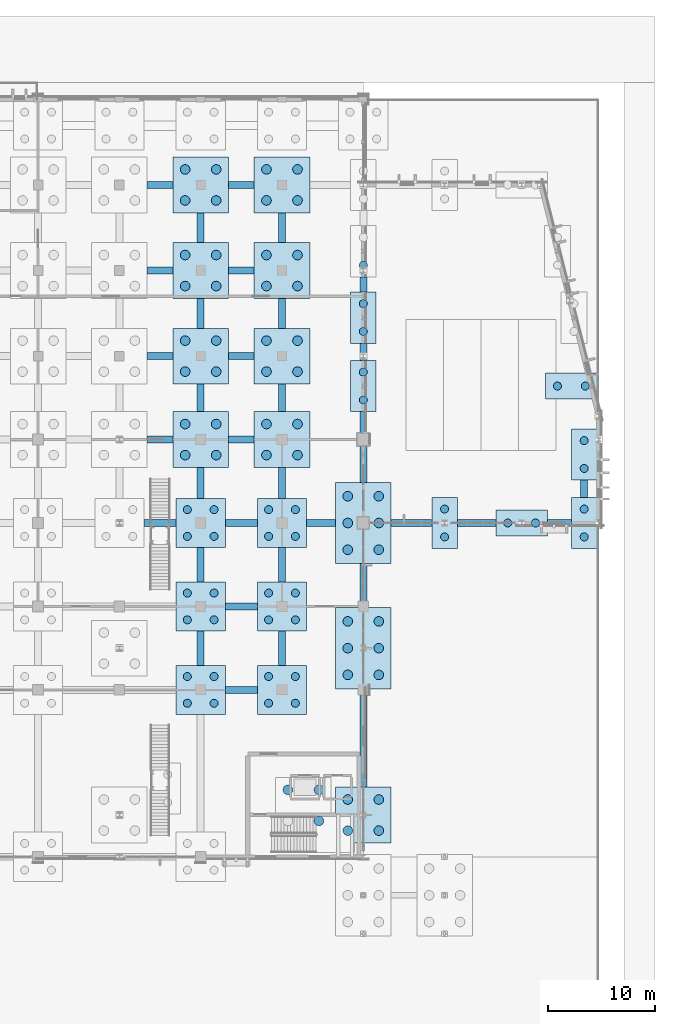
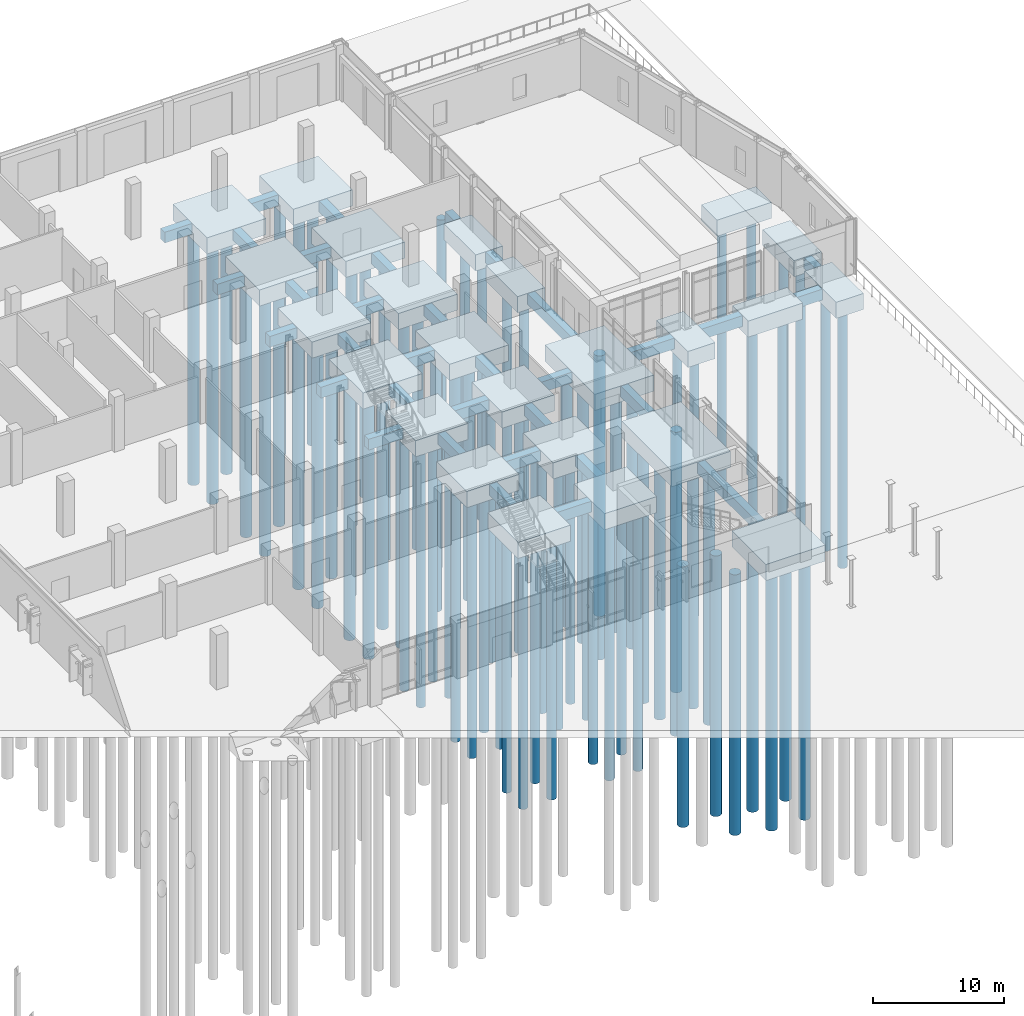
# One storey, part 13 of 94: 90 piles, 58 footings.
"""IFC4 building model written with IfcOpenShell, lengths in metres."""

from ifc_helpers import new_model, si_unit, direction, frame, origin, origin_2d, place, context, subcontext, project, spatial, rectangle, circle, extrude, material, material_profile, profile_set, type_object, element, save


model = new_model("IFC4")

# Units and contexts
model_context = context("Model", 3, precision=1e-05, world=origin(), true_north=direction((0.0, 1.0)))
body_context = subcontext(model_context, "Body", "Model", "MODEL_VIEW")
ifc_project = project(units=[si_unit("LENGTHUNIT", "METRE"), si_unit("AREAUNIT", "SQUARE_METRE"), si_unit("VOLUMEUNIT", "CUBIC_METRE"), si_unit("PLANEANGLEUNIT", "RADIAN"), si_unit("MASSUNIT", "GRAM", prefix="KILO")], contexts=[model_context])

# Site, building, storey
site_placement = place(None, origin())
site = spatial("IfcSite", under=ifc_project, at=site_placement, CompositionType="ELEMENT")
building_placement = place(site_placement, origin())
building = spatial("IfcBuilding", under=site, at=building_placement, Name="Vervanel Yard Central Library", CompositionType="ELEMENT")
storey_placement = place(building_placement, origin())
storey = spatial("IfcBuildingStorey", under=building, at=storey_placement, Name="L00", CompositionType="ELEMENT", Elevation=0.0)

# Piles
ifc_material = material(Name="Concrete C40/50", Category="concrete")
ifc_material_profile_1 = material_profile(ifc_material, circle(Radius=0.375, at=origin_2d()), Name="BP D750", Category="concrete")
ifc_profile_set_1 = profile_set([ifc_material_profile_1], Name="Concrete C40/50")
pile_type_1 = type_object("IfcPileType", Name="Bored Concrete Pile D750", PredefinedType="BORED", material=ifc_profile_set_1)
for number, where, z_axis, x_axis, name in (
    (1, (129.550048828125, 57.550048828125, -1.75), (0.0, 0.0, -1.0), (1.0, 0.0, 0.0), "Bored Concrete Pile 369 under PCAP-091"),
    (2, (132.050048828125, 57.550048828125, -1.75), (0.0, 0.0, -1.0), (1.0, 0.0, 0.0), "Bored Concrete Pile 370 under PCAP-091"),
    (3, (129.550048828125, 60.050048828125, -1.75), (0.0, 0.0, -1.0), (1.0, 0.0, 0.0), "Bored Concrete Pile 371 under PCAP-091"),
    (4, (132.050048828125, 60.050048828125, -1.75), (0.0, 0.0, -1.0), (1.0, 0.0, 0.0), "Bored Concrete Pile 372 under PCAP-091"),
    (5, (129.550048828125, 65.35009765625, -1.75), (0.0, 0.0, -1.0), (1.0, 0.0, 0.0), "Bored Concrete Pile 373 under PCAP-092"),
    (6, (132.050048828125, 65.35009765625, -1.75), (0.0, 0.0, -1.0), (1.0, 0.0, 0.0), "Bored Concrete Pile 374 under PCAP-092"),
    (7, (129.550048828125, 67.85009765625, -1.75), (0.0, 0.0, -1.0), (1.0, 0.0, 0.0), "Bored Concrete Pile 375 under PCAP-092"),
    (8, (132.050048828125, 67.85009765625, -1.75), (0.0, 0.0, -1.0), (1.0, 0.0, 0.0), "Bored Concrete Pile 376 under PCAP-092"),
    (9, (129.550048828125, 73.14990234375, -1.75), (0.0, 0.0, -1.0), (1.0, 0.0, 0.0), "Bored Concrete Pile 377 under PCAP-093"),
    (10, (132.050048828125, 73.14990234375, -1.75), (0.0, 0.0, -1.0), (1.0, 0.0, 0.0), "Bored Concrete Pile 378 under PCAP-093"),
    (11, (129.550048828125, 75.64990234375, -1.75), (0.0, 0.0, -1.0), (1.0, 0.0, 0.0), "Bored Concrete Pile 379 under PCAP-093"),
    (12, (132.050048828125, 75.64990234375, -1.75), (0.0, 0.0, -1.0), (1.0, 0.0, 0.0), "Bored Concrete Pile 380 under PCAP-093"),
    (13, (137.14990234375, 57.550048828125, -1.75), (0.0, 0.0, -1.0), (1.0, 0.0, 0.0), "Bored Concrete Pile 385 under PCAP-095"),
    (14, (139.64990234375, 57.550048828125, -1.75), (0.0, 0.0, -1.0), (1.0, 0.0, 0.0), "Bored Concrete Pile 386 under PCAP-095"),
    (15, (137.14990234375, 60.050048828125, -1.75), (0.0, 0.0, -1.0), (1.0, 0.0, 0.0), "Bored Concrete Pile 387 under PCAP-095"),
    (16, (139.64990234375, 60.050048828125, -1.75), (0.0, 0.0, -1.0), (1.0, 0.0, 0.0), "Bored Concrete Pile 388 under PCAP-095"),
    (17, (137.14990234375, 65.35009765625, -1.75), (0.0, 0.0, -1.0), (1.0, 0.0, 0.0), "Bored Concrete Pile 389 under PCAP-096"),
    (18, (139.64990234375, 65.35009765625, -1.75), (0.0, 0.0, -1.0), (1.0, 0.0, 0.0), "Bored Concrete Pile 390 under PCAP-096"),
    (19, (137.14990234375, 67.85009765625, -1.75), (0.0, 0.0, -1.0), (1.0, 0.0, 0.0), "Bored Concrete Pile 391 under PCAP-096"),
    (20, (139.64990234375, 67.85009765625, -1.75), (0.0, 0.0, -1.0), (1.0, 0.0, 0.0), "Bored Concrete Pile 392 under PCAP-096"),
    (21, (137.14990234375, 73.14990234375, -1.75), (0.0, 0.0, -1.0), (1.0, 0.0, 0.0), "Bored Concrete Pile 393 under PCAP-097"),
    (22, (139.64990234375, 73.14990234375, -1.75), (0.0, 0.0, -1.0), (1.0, 0.0, 0.0), "Bored Concrete Pile 394 under PCAP-097"),
    (23, (137.14990234375, 75.64990234375, -1.75), (0.0, 0.0, -1.0), (1.0, 0.0, 0.0), "Bored Concrete Pile 395 under PCAP-097"),
    (24, (139.64990234375, 75.64990234375, -1.75), (0.0, 0.0, -1.0), (1.0, 0.0, 0.0), "Bored Concrete Pile 396 under PCAP-097"),
    (25, (146.0, 85.89990234375, -1.75), (0.0, 0.0, -1.0), (1.0, 0.0, 0.0), "Bored Concrete Pile 513 under PCAP-154"),
    (26, (146.0, 88.5, -1.75), (0.0, 0.0, -1.0), (1.0, 0.0, 0.0), "Bored Concrete Pile 514 under PCAP-154"),
    (27, (146.0, 92.300048828125, -1.75), (0.0, 0.0, -1.0), (1.0, 0.0, 0.0), "Bored Concrete Pile 515 under PCAP-155"),
    (28, (146.0, 94.89990234375, -1.75), (0.0, 0.0, -1.0), (1.0, 0.0, 0.0), "Bored Concrete Pile 516 under PCAP-155"),
    (29, (146.0, 98.5, -1.75), (0.0, 0.0, -1.0), (1.0, 0.0, 0.0), "Bored Concrete Pile 517 under PCAP-156"),
    (30, (153.60009765625, 73.10009765625, -1.75), (0.0, 0.0, -1.0), (1.0, 0.0, 0.0), "Bored Concrete Pile 521 under PCAP-158"),
    (31, (153.60009765625, 75.699951171875, -1.75), (0.0, 0.0, -1.0), (1.0, 0.0, 0.0), "Bored Concrete Pile 522 under PCAP-158"),
    (32, (166.64990234375, 73.10009765625, -1.75), (0.0, 0.0, -1.0), (1.0, 0.0, 0.0), "Bored Concrete Pile 529 under PCAP-162"),
    (33, (166.64990234375, 75.699951171875, -1.75), (0.0, 0.0, -1.0), (1.0, 0.0, 0.0), "Bored Concrete Pile 530 under PCAP-162"),
    (34, (166.64990234375, 79.5, -1.75), (0.0, 0.0, -1.0), (1.0, 0.0, 0.0), "Bored Concrete Pile 531 under PCAP-163"),
    (35, (166.64990234375, 82.10009765625, -1.75), (0.0, 0.0, -1.0), (1.0, 0.0, 0.0), "Bored Concrete Pile 532 under PCAP-163"),
    (36, (159.5, 74.39990234375, -1.75), (0.0, 0.0, -1.0), (1.0, 0.0, 0.0), "Bored Concrete Pile 601 under PCAP-198"),
    (37, (162.10009765625, 74.39990234375, -1.75), (0.0, 0.0, -1.0), (1.0, 0.0, 0.0), "Bored Concrete Pile 602 under PCAP-198"),
    (38, (164.14990234375, 87.199951171875, -1.75), (0.0, 0.0, -1.0), (1.0, 0.0, 0.0), "Bored Concrete Pile 605 under PCAP-200"),
    (39, (166.75, 87.199951171875, -1.75), (0.0, 0.0, -1.0), (1.0, 0.0, 0.0), "Bored Concrete Pile 606 under PCAP-200"),
):
    element("IfcPile", number, at=place(storey_placement, frame(where, z_axis=z_axis, x_axis=x_axis)), inside=storey, type_object=pile_type_1, Name=name, PredefinedType="BORED", context=body_context, shape_type="SweptSolid", body=[
        extrude(circle(Radius=0.375, at=origin_2d()), origin(), (0.0, 0.0, 1.0), 24.25),
    ])
ifc_material_profile_2 = material_profile(ifc_material, circle(Radius=0.449951171875, at=origin_2d()), Name="BP D900", Category="concrete")
ifc_profile_set_2 = profile_set([ifc_material_profile_2], Name="Concrete C40/50")
pile_type_2 = type_object("IfcPileType", Name="Bored Concrete Pile D900", PredefinedType="BORED", material=ifc_profile_set_2)
for number, where, z_axis, x_axis, name in (
    (40, (144.550048828125, 60.199951171875, -1.75), (0.0, 0.0, -1.0), (1.0, 0.0, 0.0), "Bored Concrete Pile 7 under PCAP-002"),
    (41, (147.449951171875, 60.199951171875, -1.75), (0.0, 0.0, -1.0), (1.0, 0.0, 0.0), "Bored Concrete Pile 8 under PCAP-002"),
    (42, (144.550048828125, 62.699951171875, -1.75), (0.0, 0.0, -1.0), (1.0, 0.0, 0.0), "Bored Concrete Pile 9 under PCAP-002"),
    (43, (147.449951171875, 62.699951171875, -1.75), (0.0, 0.0, -1.0), (1.0, 0.0, 0.0), "Bored Concrete Pile 10 under PCAP-002"),
    (44, (144.550048828125, 65.199951171875, -1.75), (0.0, 0.0, -1.0), (1.0, 0.0, 0.0), "Bored Concrete Pile 11 under PCAP-002"),
    (45, (147.449951171875, 65.199951171875, -1.75), (0.0, 0.0, -1.0), (1.0, 0.0, 0.0), "Bored Concrete Pile 12 under PCAP-002"),
    (46, (144.550048828125, 71.89990234375, -1.75), (0.0, 0.0, -1.0), (1.0, 0.0, 0.0), "Bored Concrete Pile 13 under PCAP-003"),
    (47, (147.449951171875, 71.89990234375, -1.75), (0.0, 0.0, -1.0), (1.0, 0.0, 0.0), "Bored Concrete Pile 14 under PCAP-003"),
    (48, (144.550048828125, 74.39990234375, -1.75), (0.0, 0.0, -1.0), (1.0, 0.0, 0.0), "Bored Concrete Pile 15 under PCAP-003"),
    (49, (147.449951171875, 74.39990234375, -1.75), (0.0, 0.0, -1.0), (1.0, 0.0, 0.0), "Bored Concrete Pile 16 under PCAP-003"),
    (50, (144.550048828125, 76.89990234375, -1.75), (0.0, 0.0, -1.0), (1.0, 0.0, 0.0), "Bored Concrete Pile 17 under PCAP-003"),
    (51, (147.449951171875, 76.89990234375, -1.75), (0.0, 0.0, -1.0), (1.0, 0.0, 0.0), "Bored Concrete Pile 18 under PCAP-003"),
    (52, (129.35009765625, 80.75, -1.75), (0.0, 0.0, -1.0), (1.0, 0.0, 0.0), "Bored Concrete Pile 221 under PCAP-054"),
    (53, (132.25, 80.75, -1.75), (0.0, 0.0, -1.0), (1.0, 0.0, 0.0), "Bored Concrete Pile 222 under PCAP-054"),
    (54, (129.35009765625, 83.64990234375, -1.75), (0.0, 0.0, -1.0), (1.0, 0.0, 0.0), "Bored Concrete Pile 223 under PCAP-054"),
    (55, (132.25, 83.64990234375, -1.75), (0.0, 0.0, -1.0), (1.0, 0.0, 0.0), "Bored Concrete Pile 224 under PCAP-054"),
    (56, (129.35009765625, 88.550048828125, -1.75), (0.0, 0.0, -1.0), (1.0, 0.0, 0.0), "Bored Concrete Pile 225 under PCAP-055"),
    (57, (132.25, 88.550048828125, -1.75), (0.0, 0.0, -1.0), (1.0, 0.0, 0.0), "Bored Concrete Pile 226 under PCAP-055"),
    (58, (129.35009765625, 91.449951171875, -1.75), (0.0, 0.0, -1.0), (1.0, 0.0, 0.0), "Bored Concrete Pile 227 under PCAP-055"),
    (59, (132.25, 91.449951171875, -1.75), (0.0, 0.0, -1.0), (1.0, 0.0, 0.0), "Bored Concrete Pile 228 under PCAP-055"),
    (60, (129.35009765625, 96.550048828125, -1.75), (0.0, 0.0, -1.0), (1.0, 0.0, 0.0), "Bored Concrete Pile 229 under PCAP-056"),
    (61, (132.25, 96.550048828125, -1.75), (0.0, 0.0, -1.0), (1.0, 0.0, 0.0), "Bored Concrete Pile 230 under PCAP-056"),
    (62, (129.35009765625, 99.449951171875, -1.75), (0.0, 0.0, -1.0), (1.0, 0.0, 0.0), "Bored Concrete Pile 231 under PCAP-056"),
    (63, (132.25, 99.449951171875, -1.75), (0.0, 0.0, -1.0), (1.0, 0.0, 0.0), "Bored Concrete Pile 232 under PCAP-056"),
    (64, (129.35009765625, 104.550048828125, -1.75), (0.0, 0.0, -1.0), (1.0, 0.0, 0.0), "Bored Concrete Pile 233 under PCAP-057"),
    (65, (132.25, 104.550048828125, -1.75), (0.0, 0.0, -1.0), (1.0, 0.0, 0.0), "Bored Concrete Pile 234 under PCAP-057"),
    (66, (129.35009765625, 107.449951171875, -1.75), (0.0, 0.0, -1.0), (1.0, 0.0, 0.0), "Bored Concrete Pile 235 under PCAP-057"),
    (67, (132.25, 107.449951171875, -1.75), (0.0, 0.0, -1.0), (1.0, 0.0, 0.0), "Bored Concrete Pile 236 under PCAP-057"),
    (68, (136.949951171875, 80.75, -1.75), (0.0, 0.0, -1.0), (1.0, 0.0, 0.0), "Bored Concrete Pile 237 under PCAP-058"),
    (69, (139.85009765625, 80.75, -1.75), (0.0, 0.0, -1.0), (1.0, 0.0, 0.0), "Bored Concrete Pile 238 under PCAP-058"),
    (70, (136.949951171875, 83.64990234375, -1.75), (0.0, 0.0, -1.0), (1.0, 0.0, 0.0), "Bored Concrete Pile 239 under PCAP-058"),
    (71, (139.85009765625, 83.64990234375, -1.75), (0.0, 0.0, -1.0), (1.0, 0.0, 0.0), "Bored Concrete Pile 240 under PCAP-058"),
    (72, (136.949951171875, 88.550048828125, -1.75), (0.0, 0.0, -1.0), (1.0, 0.0, 0.0), "Bored Concrete Pile 241 under PCAP-059"),
    (73, (139.85009765625, 88.550048828125, -1.75), (0.0, 0.0, -1.0), (1.0, 0.0, 0.0), "Bored Concrete Pile 242 under PCAP-059"),
    (74, (136.949951171875, 91.449951171875, -1.75), (0.0, 0.0, -1.0), (1.0, 0.0, 0.0), "Bored Concrete Pile 243 under PCAP-059"),
    (75, (139.85009765625, 91.449951171875, -1.75), (0.0, 0.0, -1.0), (1.0, 0.0, 0.0), "Bored Concrete Pile 244 under PCAP-059"),
    (76, (136.949951171875, 96.550048828125, -1.75), (0.0, 0.0, -1.0), (1.0, 0.0, 0.0), "Bored Concrete Pile 245 under PCAP-060"),
    (77, (139.85009765625, 96.550048828125, -1.75), (0.0, 0.0, -1.0), (1.0, 0.0, 0.0), "Bored Concrete Pile 246 under PCAP-060"),
    (78, (136.949951171875, 99.449951171875, -1.75), (0.0, 0.0, -1.0), (1.0, 0.0, 0.0), "Bored Concrete Pile 247 under PCAP-060"),
    (79, (139.85009765625, 99.449951171875, -1.75), (0.0, 0.0, -1.0), (1.0, 0.0, 0.0), "Bored Concrete Pile 248 under PCAP-060"),
    (80, (136.949951171875, 104.550048828125, -1.75), (0.0, 0.0, -1.0), (1.0, 0.0, 0.0), "Bored Concrete Pile 249 under PCAP-061"),
    (81, (139.85009765625, 104.550048828125, -1.75), (0.0, 0.0, -1.0), (1.0, 0.0, 0.0), "Bored Concrete Pile 250 under PCAP-061"),
    (82, (136.949951171875, 107.449951171875, -1.75), (0.0, 0.0, -1.0), (1.0, 0.0, 0.0), "Bored Concrete Pile 251 under PCAP-061"),
    (83, (139.85009765625, 107.449951171875, -1.75), (0.0, 0.0, -1.0), (1.0, 0.0, 0.0), "Bored Concrete Pile 252 under PCAP-061"),
    (84, (141.85009765625, 46.550048828125, -1.75), (0.0, 0.0, -1.0), (1.0, 0.0, 0.0), "Bored Concrete Pile 254 under PCAP-062"),
    (85, (138.949951171875, 49.449951171875, -1.75), (0.0, 0.0, -1.0), (1.0, 0.0, 0.0), "Bored Concrete Pile 255 under PCAP-062"),
    (86, (141.85009765625, 49.449951171875, -1.75), (0.0, 0.0, -1.0), (1.0, 0.0, 0.0), "Bored Concrete Pile 256 under PCAP-062"),
    (87, (144.550048828125, 45.64990234375, -1.75), (0.0, 0.0, -1.0), (1.0, 0.0, 0.0), "Bored Concrete Pile 257 under PCAP-063"),
    (88, (147.449951171875, 45.64990234375, -1.75), (0.0, 0.0, -1.0), (1.0, 0.0, 0.0), "Bored Concrete Pile 258 under PCAP-063"),
    (89, (144.550048828125, 48.550048828125, -1.75), (0.0, 0.0, -1.0), (1.0, 0.0, 0.0), "Bored Concrete Pile 259 under PCAP-063"),
    (90, (147.449951171875, 48.550048828125, -1.75), (0.0, 0.0, -1.0), (1.0, 0.0, 0.0), "Bored Concrete Pile 260 under PCAP-063"),
):
    element("IfcPile", number, at=place(storey_placement, frame(where, z_axis=z_axis, x_axis=x_axis)), inside=storey, type_object=pile_type_2, Name=name, PredefinedType="BORED", context=body_context, shape_type="SweptSolid", body=[
        extrude(circle(Radius=0.449951171875, at=origin_2d()), origin(), (0.0, 0.0, 1.0), 24.25),
    ])

# Footings
footing_type_1 = type_object("IfcFootingType", Name="Combined 2-Pile Cap 2400x4800x1500", PredefinedType="PILE_CAP", material=ifc_material)
for number, where, z_axis, x_axis, name in (
    (91, (146.0, 87.199951171875, -1.89990234375), (0.0, 0.0, 1.0), (1.0, 0.0, 0.0), "Combined Pile Cap PCAP-154 (PC-01)"),
    (92, (146.0, 93.60009765625, -1.89990234375), (0.0, 0.0, 1.0), (1.0, 0.0, 0.0), "Combined Pile Cap PCAP-155 (PC-01)"),
    (93, (153.60009765625, 74.39990234375, -1.89990234375), (0.0, 0.0, 1.0), (1.0, 0.0, 0.0), "Combined Pile Cap PCAP-158 (PC-01)"),
    (94, (166.64990234375, 74.39990234375, -1.89990234375), (0.0, 0.0, 1.0), (1.0, 0.0, 0.0), "Combined Pile Cap PCAP-162 (PC-01)"),
    (95, (166.64990234375, 80.800048828125, -1.89990234375), (0.0, 0.0, 1.0), (1.0, 0.0, 0.0), "Combined Pile Cap PCAP-163 (PC-01)"),
):
    element("IfcFooting", number, at=place(storey_placement, frame(where, z_axis=z_axis, x_axis=x_axis)), inside=storey, type_object=footing_type_1, Name=name, PredefinedType="PILE_CAP", context=body_context, shape_type="SweptSolid", body=[
        extrude(rectangle(XDim=2.39990234375, YDim=4.800048828125, at=origin_2d()), origin(), (0.0, 0.0, 1.0), 1.5),
    ])
footing_type_2 = type_object("IfcFootingType", Name="Combined 2-Pile Cap 4800x2400x1500", PredefinedType="PILE_CAP", material=ifc_material)
for number, where, z_axis, x_axis, name in (
    (96, (160.800048828125, 74.39990234375, -1.89990234375), (0.0, 0.0, 1.0), (1.0, 0.0, 0.0), "Combined Pile Cap PCAP-198 (PC-02)"),
    (97, (165.449951171875, 87.199951171875, -1.89990234375), (0.0, 0.0, 1.0), (1.0, 0.0, 0.0), "Combined Pile Cap PCAP-200 (PC-02)"),
):
    element("IfcFooting", number, at=place(storey_placement, frame(where, z_axis=z_axis, x_axis=x_axis)), inside=storey, type_object=footing_type_2, Name=name, PredefinedType="PILE_CAP", context=body_context, shape_type="SweptSolid", body=[
        extrude(rectangle(XDim=4.800048828125, YDim=2.39990234375, at=origin_2d()), origin(), (0.0, 0.0, 1.0), 1.5),
    ])
footing_type_3 = type_object("IfcFootingType", Name="Combined 4-Pile Cap 4600x4600x1500", PredefinedType="PILE_CAP", material=ifc_material)
for number, where, z_axis, x_axis, name in (
    (98, (130.800048828125, 58.800048828125, -1.89990234375), (0.0, 0.0, 1.0), (1.0, 0.0, 0.0), "Combined Pile Cap PCAP-091 (PC-03)"),
    (99, (130.800048828125, 66.60009765625, -1.89990234375), (0.0, 0.0, 1.0), (1.0, 0.0, 0.0), "Combined Pile Cap PCAP-092 (PC-03)"),
    (100, (130.800048828125, 74.39990234375, -1.89990234375), (0.0, 0.0, 1.0), (1.0, 0.0, 0.0), "Combined Pile Cap PCAP-093 (PC-03)"),
    (101, (138.39990234375, 58.800048828125, -1.89990234375), (0.0, 0.0, 1.0), (1.0, 0.0, 0.0), "Combined Pile Cap PCAP-095 (PC-03)"),
    (102, (138.39990234375, 66.60009765625, -1.89990234375), (0.0, 0.0, 1.0), (1.0, 0.0, 0.0), "Combined Pile Cap PCAP-096 (PC-03)"),
    (103, (138.39990234375, 74.39990234375, -1.89990234375), (0.0, 0.0, 1.0), (1.0, 0.0, 0.0), "Combined Pile Cap PCAP-097 (PC-03)"),
):
    element("IfcFooting", number, at=place(storey_placement, frame(where, z_axis=z_axis, x_axis=x_axis)), inside=storey, type_object=footing_type_3, Name=name, PredefinedType="PILE_CAP", context=body_context, shape_type="SweptSolid", body=[
        extrude(rectangle(XDim=4.60009765625, YDim=4.60009765625, at=origin_2d()), origin(), (0.0, 0.0, 1.0), 1.5),
    ])
footing_type_4 = type_object("IfcFootingType", Name="Combined 4-Pile Heavy Cap 5200x5200x1500", PredefinedType="PILE_CAP", material=ifc_material)
for number, where, z_axis, x_axis, name in (
    (104, (130.800048828125, 82.199951171875, -1.89990234375), (0.0, 0.0, 1.0), (1.0, 0.0, 0.0), "Combined Pile Cap PCAP-054 (PC-04)"),
    (105, (130.800048828125, 90.0, -1.89990234375), (0.0, 0.0, 1.0), (1.0, 0.0, 0.0), "Combined Pile Cap PCAP-055 (PC-04)"),
    (106, (130.800048828125, 98.0, -1.89990234375), (0.0, 0.0, 1.0), (1.0, 0.0, 0.0), "Combined Pile Cap PCAP-056 (PC-04)"),
    (107, (130.800048828125, 106.0, -1.89990234375), (0.0, 0.0, 1.0), (1.0, 0.0, 0.0), "Combined Pile Cap PCAP-057 (PC-04)"),
    (108, (138.39990234375, 82.199951171875, -1.89990234375), (0.0, 0.0, 1.0), (1.0, 0.0, 0.0), "Combined Pile Cap PCAP-058 (PC-04)"),
    (109, (138.39990234375, 90.0, -1.89990234375), (0.0, 0.0, 1.0), (1.0, 0.0, 0.0), "Combined Pile Cap PCAP-059 (PC-04)"),
    (110, (138.39990234375, 98.0, -1.89990234375), (0.0, 0.0, 1.0), (1.0, 0.0, 0.0), "Combined Pile Cap PCAP-060 (PC-04)"),
    (111, (138.39990234375, 106.0, -1.89990234375), (0.0, 0.0, 1.0), (1.0, 0.0, 0.0), "Combined Pile Cap PCAP-061 (PC-04)"),
    (112, (146.0, 47.10009765625, -1.89990234375), (0.0, 0.0, 1.0), (1.0, 0.0, 0.0), "Combined Pile Cap PCAP-063 (PC-04)"),
):
    element("IfcFooting", number, at=place(storey_placement, frame(where, z_axis=z_axis, x_axis=x_axis)), inside=storey, type_object=footing_type_4, Name=name, PredefinedType="PILE_CAP", context=body_context, shape_type="SweptSolid", body=[
        extrude(rectangle(XDim=5.199951171875, YDim=5.199951171875, at=origin_2d()), origin(), (0.0, 0.0, 1.0), 1.5),
    ])
footing_type_5 = type_object("IfcFootingType", Name="Combined 6-Pile Fulcrum Cap 5200x7600x1500", PredefinedType="PILE_CAP", material=ifc_material)
for number, where, z_axis, x_axis, name in (
    (113, (146.0, 62.699951171875, -1.89990234375), (0.0, 0.0, 1.0), (1.0, 0.0, 0.0), "Combined Pile Cap PCAP-002 (PC-05)"),
    (114, (146.0, 74.39990234375, -1.89990234375), (0.0, 0.0, 1.0), (1.0, 0.0, 0.0), "Combined Pile Cap PCAP-003 (PC-05)"),
):
    element("IfcFooting", number, at=place(storey_placement, frame(where, z_axis=z_axis, x_axis=x_axis)), inside=storey, type_object=footing_type_5, Name=name, PredefinedType="PILE_CAP", context=body_context, shape_type="SweptSolid", body=[
        extrude(rectangle(XDim=5.199951171875, YDim=7.60009765625, at=origin_2d()), origin(), (0.0, 0.0, 1.0), 1.5),
    ])
ifc_material_profile_3 = material_profile(ifc_material, rectangle(XDim=0.64990234375, YDim=1.0, at=origin_2d()), Name="RC 650x1000", Category="concrete")
ifc_profile_set_3 = profile_set([ifc_material_profile_3], Name="Concrete C40/50")
footing_type_6 = type_object("IfcFootingType", Name="Concrete Footing Beam 650x1000", PredefinedType="FOOTING_BEAM", material=ifc_profile_set_3)
for number, where, z_axis, x_axis, name in (
    (115, (133.10009765625, 58.800048828125, -0.919921875), (1.0, 0.0, 0.0), (0.0, 1.0, 0.0), "Concrete Footing Beam FB-X-066"),
    (116, (133.10009765625, 66.60009765625, -0.919921875), (1.0, 0.0, 0.0), (0.0, 1.0, 0.0), "Concrete Footing Beam FB-X-074"),
    (117, (125.5, 74.39990234375, -0.919921875), (1.0, 0.0, 0.0), (0.0, 1.0, 0.0), "Concrete Footing Beam FB-X-086"),
    (118, (133.10009765625, 74.39990234375, -0.919921875), (1.0, 0.0, 0.0), (0.0, 1.0, 0.0), "Concrete Footing Beam FB-X-087"),
):
    element("IfcFooting", number, at=place(storey_placement, frame(where, z_axis=z_axis, x_axis=x_axis)), inside=storey, type_object=footing_type_6, Name=name, PredefinedType="FOOTING_BEAM", context=body_context, shape_type="SweptSolid", body=[
        extrude(rectangle(XDim=0.64990234375, YDim=1.0, at=origin_2d()), origin(), (0.0, 0.0, 1.0), 3.0),
    ])
footing_1_placement = place(storey_placement, frame((140.699951171875, 74.39990234375, -0.919921875), z_axis=(1.0, 0.0, 0.0), x_axis=(0.0, 1.0, 0.0)))
element("IfcFooting", 119, at=footing_1_placement, inside=storey, type_object=footing_type_6, Name="Concrete Footing Beam FB-X-088", PredefinedType="FOOTING_BEAM", context=body_context, shape_type="SweptSolid", body=[
    extrude(rectangle(XDim=0.64990234375, YDim=1.0, at=origin_2d()), origin(), (0.0, 0.0, 1.0), 2.699951171875),
])
footing_2_placement = place(storey_placement, frame((148.60009765625, 74.39990234375, -0.919921875), z_axis=(1.0, 0.0, 0.0), x_axis=(0.0, 1.0, 0.0)))
element("IfcFooting", 120, at=footing_2_placement, inside=storey, type_object=footing_type_6, Name="Concrete Footing Beam FB-X-089", PredefinedType="FOOTING_BEAM", context=body_context, shape_type="SweptSolid", body=[
    extrude(rectangle(XDim=0.64990234375, YDim=1.0, at=origin_2d()), origin(), (0.0, 0.0, 1.0), 3.7998046875),
])
footing_3_placement = place(storey_placement, frame((154.800048828125, 74.39990234375, -0.919921875), z_axis=(1.0, 0.0, 0.0), x_axis=(0.0, 1.0, 0.0)))
element("IfcFooting", 121, at=footing_3_placement, inside=storey, type_object=footing_type_6, Name="Concrete Footing Beam FB-X-090", PredefinedType="FOOTING_BEAM", context=body_context, shape_type="SweptSolid", body=[
    extrude(rectangle(XDim=0.64990234375, YDim=1.0, at=origin_2d()), origin(), (0.0, 0.0, 1.0), 3.599853515625),
])
footing_4_placement = place(storey_placement, frame((163.199951171875, 74.39990234375, -0.919921875), z_axis=(1.0, 0.0, 0.0), x_axis=(0.0, 1.0, 0.0)))
element("IfcFooting", 122, at=footing_4_placement, inside=storey, type_object=footing_type_6, Name="Concrete Footing Beam FB-X-091", PredefinedType="FOOTING_BEAM", context=body_context, shape_type="SweptSolid", body=[
    extrude(rectangle(XDim=0.64990234375, YDim=1.0, at=origin_2d()), origin(), (0.0, 0.0, 1.0), 2.25),
])
footing_5_placement = place(storey_placement, frame((125.800048828125, 82.199951171875, -0.919921875), z_axis=(1.0, 0.0, 0.0), x_axis=(0.0, 1.0, 0.0)))
element("IfcFooting", 123, at=footing_5_placement, inside=storey, type_object=footing_type_6, Name="Concrete Footing Beam FB-X-107", PredefinedType="FOOTING_BEAM", context=body_context, shape_type="SweptSolid", body=[
    extrude(rectangle(XDim=0.64990234375, YDim=1.0, at=origin_2d()), origin(), (0.0, 0.0, 1.0), 2.39990234375),
])
footing_6_placement = place(storey_placement, frame((133.39990234375, 82.199951171875, -0.919921875), z_axis=(1.0, 0.0, 0.0), x_axis=(0.0, 1.0, 0.0)))
element("IfcFooting", 124, at=footing_6_placement, inside=storey, type_object=footing_type_6, Name="Concrete Footing Beam FB-X-108", PredefinedType="FOOTING_BEAM", context=body_context, shape_type="SweptSolid", body=[
    extrude(rectangle(XDim=0.64990234375, YDim=1.0, at=origin_2d()), origin(), (0.0, 0.0, 1.0), 2.400146484375),
])
footing_7_placement = place(storey_placement, frame((125.800048828125, 90.0, -0.919921875), z_axis=(1.0, 0.0, 0.0), x_axis=(0.0, 1.0, 0.0)))
element("IfcFooting", 125, at=footing_7_placement, inside=storey, type_object=footing_type_6, Name="Concrete Footing Beam FB-X-119", PredefinedType="FOOTING_BEAM", context=body_context, shape_type="SweptSolid", body=[
    extrude(rectangle(XDim=0.64990234375, YDim=1.0, at=origin_2d()), origin(), (0.0, 0.0, 1.0), 2.39990234375),
])
footing_8_placement = place(storey_placement, frame((133.39990234375, 90.0, -0.919921875), z_axis=(1.0, 0.0, 0.0), x_axis=(0.0, 1.0, 0.0)))
element("IfcFooting", 126, at=footing_8_placement, inside=storey, type_object=footing_type_6, Name="Concrete Footing Beam FB-X-120", PredefinedType="FOOTING_BEAM", context=body_context, shape_type="SweptSolid", body=[
    extrude(rectangle(XDim=0.64990234375, YDim=1.0, at=origin_2d()), origin(), (0.0, 0.0, 1.0), 2.400146484375),
])
footing_9_placement = place(storey_placement, frame((125.800048828125, 98.0, -0.919921875), z_axis=(1.0, 0.0, 0.0), x_axis=(0.0, 1.0, 0.0)))
element("IfcFooting", 127, at=footing_9_placement, inside=storey, type_object=footing_type_6, Name="Concrete Footing Beam FB-X-131", PredefinedType="FOOTING_BEAM", context=body_context, shape_type="SweptSolid", body=[
    extrude(rectangle(XDim=0.64990234375, YDim=1.0, at=origin_2d()), origin(), (0.0, 0.0, 1.0), 2.39990234375),
])
footing_10_placement = place(storey_placement, frame((133.39990234375, 98.0, -0.919921875), z_axis=(1.0, 0.0, 0.0), x_axis=(0.0, 1.0, 0.0)))
element("IfcFooting", 128, at=footing_10_placement, inside=storey, type_object=footing_type_6, Name="Concrete Footing Beam FB-X-132", PredefinedType="FOOTING_BEAM", context=body_context, shape_type="SweptSolid", body=[
    extrude(rectangle(XDim=0.64990234375, YDim=1.0, at=origin_2d()), origin(), (0.0, 0.0, 1.0), 2.400146484375),
])
footing_11_placement = place(storey_placement, frame((125.800048828125, 106.0, -0.919921875), z_axis=(1.0, 0.0, 0.0), x_axis=(0.0, 1.0, 0.0)))
element("IfcFooting", 129, at=footing_11_placement, inside=storey, type_object=footing_type_6, Name="Concrete Footing Beam FB-X-139", PredefinedType="FOOTING_BEAM", context=body_context, shape_type="SweptSolid", body=[
    extrude(rectangle(XDim=0.64990234375, YDim=1.0, at=origin_2d()), origin(), (0.0, 0.0, 1.0), 2.39990234375),
])
footing_12_placement = place(storey_placement, frame((133.39990234375, 106.0, -0.919921875), z_axis=(1.0, 0.0, 0.0), x_axis=(0.0, 1.0, 0.0)))
element("IfcFooting", 130, at=footing_12_placement, inside=storey, type_object=footing_type_6, Name="Concrete Footing Beam FB-X-140", PredefinedType="FOOTING_BEAM", context=body_context, shape_type="SweptSolid", body=[
    extrude(rectangle(XDim=0.64990234375, YDim=1.0, at=origin_2d()), origin(), (0.0, 0.0, 1.0), 2.400146484375),
])
footing_13_placement = place(storey_placement, frame((130.800048828125, 61.10009765625, -0.919921875), z_axis=(0.0, 1.0, 0.0), x_axis=(-1.0, 0.0, 0.0)))
element("IfcFooting", 131, at=footing_13_placement, inside=storey, type_object=footing_type_6, Name="Concrete Footing Beam FB-Y-271", PredefinedType="FOOTING_BEAM", context=body_context, shape_type="SweptSolid", body=[
    extrude(rectangle(XDim=0.64990234375, YDim=1.0, at=origin_2d()), origin(), (0.0, 0.0, 1.0), 3.199951171875),
])
footing_14_placement = place(storey_placement, frame((130.800048828125, 68.89990234375, -0.919921875), z_axis=(0.0, 1.0, 0.0), x_axis=(-1.0, 0.0, 0.0)))
element("IfcFooting", 132, at=footing_14_placement, inside=storey, type_object=footing_type_6, Name="Concrete Footing Beam FB-Y-272", PredefinedType="FOOTING_BEAM", context=body_context, shape_type="SweptSolid", body=[
    extrude(rectangle(XDim=0.64990234375, YDim=1.0, at=origin_2d()), origin(), (0.0, 0.0, 1.0), 3.2001953125),
])
footing_15_placement = place(storey_placement, frame((130.800048828125, 76.699951171875, -0.919921875), z_axis=(0.0, 1.0, 0.0), x_axis=(-1.0, 0.0, 0.0)))
element("IfcFooting", 133, at=footing_15_placement, inside=storey, type_object=footing_type_6, Name="Concrete Footing Beam FB-Y-273", PredefinedType="FOOTING_BEAM", context=body_context, shape_type="SweptSolid", body=[
    extrude(rectangle(XDim=0.64990234375, YDim=1.0, at=origin_2d()), origin(), (0.0, 0.0, 1.0), 2.900146484375),
])
footing_16_placement = place(storey_placement, frame((130.800048828125, 84.800048828125, -0.919921875), z_axis=(0.0, 1.0, 0.0), x_axis=(-1.0, 0.0, 0.0)))
element("IfcFooting", 134, at=footing_16_placement, inside=storey, type_object=footing_type_6, Name="Concrete Footing Beam FB-Y-274", PredefinedType="FOOTING_BEAM", context=body_context, shape_type="SweptSolid", body=[
    extrude(rectangle(XDim=0.64990234375, YDim=1.0, at=origin_2d()), origin(), (0.0, 0.0, 1.0), 2.599853515625),
])
for number, where, z_axis, x_axis, name in (
    (135, (130.800048828125, 92.60009765625, -0.919921875), (0.0, 1.0, 0.0), (-1.0, 0.0, 0.0), "Concrete Footing Beam FB-Y-275"),
    (136, (130.800048828125, 100.60009765625, -0.919921875), (0.0, 1.0, 0.0), (-1.0, 0.0, 0.0), "Concrete Footing Beam FB-Y-276"),
):
    element("IfcFooting", number, at=place(storey_placement, frame(where, z_axis=z_axis, x_axis=x_axis)), inside=storey, type_object=footing_type_6, Name=name, PredefinedType="FOOTING_BEAM", context=body_context, shape_type="SweptSolid", body=[
        extrude(rectangle(XDim=0.64990234375, YDim=1.0, at=origin_2d()), origin(), (0.0, 0.0, 1.0), 2.7998046875),
    ])
footing_17_placement = place(storey_placement, frame((138.39990234375, 61.10009765625, -0.919921875), z_axis=(0.0, 1.0, 0.0), x_axis=(-1.0, 0.0, 0.0)))
element("IfcFooting", 137, at=footing_17_placement, inside=storey, type_object=footing_type_6, Name="Concrete Footing Beam FB-Y-277", PredefinedType="FOOTING_BEAM", context=body_context, shape_type="SweptSolid", body=[
    extrude(rectangle(XDim=0.64990234375, YDim=1.0, at=origin_2d()), origin(), (0.0, 0.0, 1.0), 3.199951171875),
])
footing_18_placement = place(storey_placement, frame((138.39990234375, 68.89990234375, -0.919921875), z_axis=(0.0, 1.0, 0.0), x_axis=(-1.0, 0.0, 0.0)))
element("IfcFooting", 138, at=footing_18_placement, inside=storey, type_object=footing_type_6, Name="Concrete Footing Beam FB-Y-278", PredefinedType="FOOTING_BEAM", context=body_context, shape_type="SweptSolid", body=[
    extrude(rectangle(XDim=0.64990234375, YDim=1.0, at=origin_2d()), origin(), (0.0, 0.0, 1.0), 3.2001953125),
])
footing_19_placement = place(storey_placement, frame((138.39990234375, 76.699951171875, -0.919921875), z_axis=(0.0, 1.0, 0.0), x_axis=(-1.0, 0.0, 0.0)))
element("IfcFooting", 139, at=footing_19_placement, inside=storey, type_object=footing_type_6, Name="Concrete Footing Beam FB-Y-279", PredefinedType="FOOTING_BEAM", context=body_context, shape_type="SweptSolid", body=[
    extrude(rectangle(XDim=0.64990234375, YDim=1.0, at=origin_2d()), origin(), (0.0, 0.0, 1.0), 2.900146484375),
])
footing_20_placement = place(storey_placement, frame((138.39990234375, 84.800048828125, -0.919921875), z_axis=(0.0, 1.0, 0.0), x_axis=(-1.0, 0.0, 0.0)))
element("IfcFooting", 140, at=footing_20_placement, inside=storey, type_object=footing_type_6, Name="Concrete Footing Beam FB-Y-280", PredefinedType="FOOTING_BEAM", context=body_context, shape_type="SweptSolid", body=[
    extrude(rectangle(XDim=0.64990234375, YDim=1.0, at=origin_2d()), origin(), (0.0, 0.0, 1.0), 2.599853515625),
])
for number, where, z_axis, x_axis, name in (
    (141, (138.39990234375, 92.60009765625, -0.919921875), (0.0, 1.0, 0.0), (-1.0, 0.0, 0.0), "Concrete Footing Beam FB-Y-281"),
    (142, (138.39990234375, 100.60009765625, -0.919921875), (0.0, 1.0, 0.0), (-1.0, 0.0, 0.0), "Concrete Footing Beam FB-Y-282"),
):
    element("IfcFooting", number, at=place(storey_placement, frame(where, z_axis=z_axis, x_axis=x_axis)), inside=storey, type_object=footing_type_6, Name=name, PredefinedType="FOOTING_BEAM", context=body_context, shape_type="SweptSolid", body=[
        extrude(rectangle(XDim=0.64990234375, YDim=1.0, at=origin_2d()), origin(), (0.0, 0.0, 1.0), 2.7998046875),
    ])
footing_21_placement = place(storey_placement, frame((146.0, 49.699951171875, -0.919921875), z_axis=(0.0, 1.0, 0.0), x_axis=(-1.0, 0.0, 0.0)))
element("IfcFooting", 143, at=footing_21_placement, inside=storey, type_object=footing_type_6, Name="Concrete Footing Beam FB-Y-283", PredefinedType="FOOTING_BEAM", context=body_context, shape_type="SweptSolid", body=[
    extrude(rectangle(XDim=0.64990234375, YDim=1.0, at=origin_2d()), origin(), (0.0, 0.0, 1.0), 9.199951171875),
])
footing_22_placement = place(storey_placement, frame((146.0, 66.5, -0.919921875), z_axis=(0.0, 1.0, 0.0), x_axis=(-1.0, 0.0, 0.0)))
element("IfcFooting", 144, at=footing_22_placement, inside=storey, type_object=footing_type_6, Name="Concrete Footing Beam FB-Y-284", PredefinedType="FOOTING_BEAM", context=body_context, shape_type="SweptSolid", body=[
    extrude(rectangle(XDim=0.64990234375, YDim=1.0, at=origin_2d()), origin(), (0.0, 0.0, 1.0), 4.10009765625),
])
footing_23_placement = place(storey_placement, frame((146.0, 78.199951171875, -0.919921875), z_axis=(0.0, 1.0, 0.0), x_axis=(-1.0, 0.0, 0.0)))
element("IfcFooting", 145, at=footing_23_placement, inside=storey, type_object=footing_type_6, Name="Concrete Footing Beam FB-Y-285", PredefinedType="FOOTING_BEAM", context=body_context, shape_type="SweptSolid", body=[
    extrude(rectangle(XDim=0.64990234375, YDim=1.0, at=origin_2d()), origin(), (0.0, 0.0, 1.0), 6.60009765625),
])
footing_24_placement = place(storey_placement, frame((146.0, 89.60009765625, -0.919921875), z_axis=(0.0, 1.0, 0.0), x_axis=(-1.0, 0.0, 0.0)))
element("IfcFooting", 146, at=footing_24_placement, inside=storey, type_object=footing_type_6, Name="Concrete Footing Beam FB-Y-286", PredefinedType="FOOTING_BEAM", context=body_context, shape_type="SweptSolid", body=[
    extrude(rectangle(XDim=0.64990234375, YDim=1.0, at=origin_2d()), origin(), (0.0, 0.0, 1.0), 1.599853515625),
])
footing_25_placement = place(storey_placement, frame((146.0, 96.0, -0.919921875), z_axis=(0.0, 1.0, 0.0), x_axis=(-1.0, 0.0, 0.0)))
element("IfcFooting", 147, at=footing_25_placement, inside=storey, type_object=footing_type_6, Name="Concrete Footing Beam FB-Y-287", PredefinedType="FOOTING_BEAM", context=body_context, shape_type="SweptSolid", body=[
    extrude(rectangle(XDim=0.64990234375, YDim=1.0, at=origin_2d()), origin(), (0.0, 0.0, 1.0), 1.39990234375),
])
footing_26_placement = place(storey_placement, frame((166.64990234375, 76.800048828125, -0.919921875), z_axis=(0.0, 1.0, 0.0), x_axis=(-1.0, 0.0, 0.0)))
element("IfcFooting", 148, at=footing_26_placement, inside=storey, type_object=footing_type_6, Name="Concrete Footing Beam FB-Y-289", PredefinedType="FOOTING_BEAM", context=body_context, shape_type="SweptSolid", body=[
    extrude(rectangle(XDim=0.64990234375, YDim=1.0, at=origin_2d()), origin(), (0.0, 0.0, 1.0), 1.599853515625),
])

save(model, "model.ifc")
